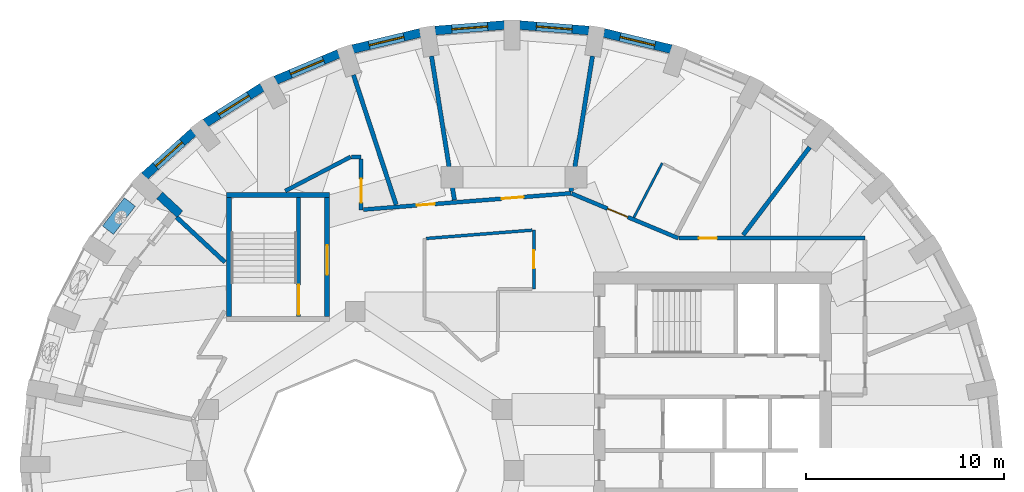
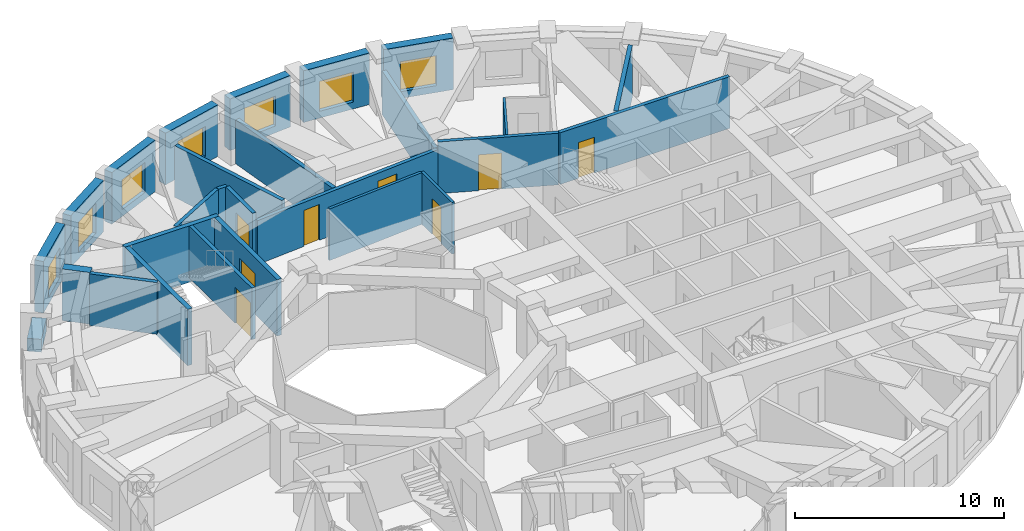
# One storey, part 7 of 12: 27 walls, 8 doors, 7 windows, 15 openings.
"""IFC4 building model written with IfcOpenShell, lengths in metres."""

from ifc_helpers import new_model, si_unit, direction, frame, frame_2d, origin, place, context, subcontext, project, spatial, rectangle, extrude, material, layer, layer_set, constituent, constituent_set, type_object, element, fill, save


model = new_model("IFC4")

# Units and contexts
model_context = context("Model", 3, precision=1e-05, world=origin(), true_north=direction((0.0, 1.0)))
body_context = subcontext(model_context, "Body", "Model", "MODEL_VIEW")
ifc_project = project(units=[si_unit("LENGTHUNIT", "METRE"), si_unit("AREAUNIT", "SQUARE_METRE"), si_unit("VOLUMEUNIT", "CUBIC_METRE"), si_unit("PLANEANGLEUNIT", "RADIAN"), si_unit("MASSUNIT", "GRAM", prefix="KILO")], contexts=[model_context])

# Site, building, storey
site_placement = place(None, origin())
site = spatial("IfcSite", under=ifc_project, at=site_placement, CompositionType="ELEMENT")
building_placement = place(site_placement, origin())
building = spatial("IfcBuilding", under=site, at=building_placement, Name="Taillehof Tower", CompositionType="ELEMENT")
storey_placement = place(building_placement, frame((0.0, 0.0, 246.5)))
storey = spatial("IfcBuildingStorey", under=building, at=storey_placement, Name="L70", CompositionType="ELEMENT", Elevation=246.5)

# Wall, opening, window
ifc_material_1 = material(Name="Brick masonry", Category="masonry")
ifc_layer_1 = layer(ifc_material_1, 0.449951171875)
ifc_layer_set_1 = layer_set([ifc_layer_1], Name="Brick infill wall 450")
wall_type_1 = type_object("IfcWallType", Name="Brick infill wall 450", PredefinedType="SOLIDWALL", material=ifc_layer_set_1)
wall_1_placement = place(storey_placement, frame((7.918701171875, 21.231689453125, 0.0), z_axis=(0.0, 0.0, 1.0), x_axis=(-0.972099278496, 0.23456980357, 0.0)))
wall_1 = element("IfcWall", 1, at=wall_1_placement, inside=storey, type_object=wall_type_1, Name="Brick wall L70 bay 8", PredefinedType="SOLIDWALL", context=body_context, shape_type="SweptSolid", body=[
    extrude(rectangle(XDim=3.486572265625, YDim=0.449951171875, at=frame_2d((1.7431640625, 0.0))), origin(), (0.0, 0.0, 1.0), 3.02001953125),
])
opening_1_placement = place(wall_1_placement, frame((0.84326171875, 0.0, 0.39990234375)))
opening_1 = element("IfcOpeningElement", 2, at=opening_1_placement, cuts=wall_1, Name="Opening W4", PredefinedType="OPENING", context=body_context, shape_type="SweptSolid", body=[
    extrude(rectangle(XDim=1.800048828125, YDim=1.75, at=frame_2d((0.89990234375, 0.875))), frame((0.0, 0.23486328125, 0.0), z_axis=(0.0, -1.0, 0.0), x_axis=(1.0, 0.0, 0.0)), (0.0, 0.0, 1.0), 0.469970703125),
])
ifc_material_2 = material(Name="Aluminium window frame with clear double glazing", Category="aluminium")
window_type = type_object("IfcWindowType", Name="Deep-set window 1800x1750", PartitioningType="SINGLE_PANEL", PredefinedType="WINDOW", material=ifc_material_2)
window_1_placement = place(opening_1_placement, origin())
window_1 = element("IfcWindow", 3, at=window_1_placement, inside=storey, type_object=window_type, Name="W4", OverallHeight=1.75, OverallWidth=1.800048828125, PartitioningType="SINGLE_PANEL", PredefinedType="WINDOW", context=body_context, shape_type="SweptSolid", body=[
    extrude(rectangle(XDim=1.800048828125, YDim=1.75, at=frame_2d((0.89990234375, 0.875))), frame((0.0, 0.034912109375, 0.0), z_axis=(0.0, -1.0, 0.0), x_axis=(1.0, 0.0, 0.0)), (0.0, 0.0, 1.0), 0.06005859375),
])
fill(opening_1, window_1)

wall_2_placement = place(storey_placement, frame((3.778564453125, 22.168701171875, 0.0), z_axis=(0.0, 0.0, 1.0), x_axis=(-0.996910775835, 0.078542377245, 0.0)))
wall_2 = element("IfcWall", 4, at=wall_2_placement, inside=storey, type_object=wall_type_1, Name="Brick wall L70 bay 9", PredefinedType="SOLIDWALL", context=body_context, shape_type="SweptSolid", body=[
    extrude(rectangle(XDim=3.50927734375, YDim=0.449951171875, at=frame_2d((1.754638671875, 0.0))), origin(), (0.0, 0.0, 1.0), 3.02001953125),
])
opening_2_placement = place(wall_2_placement, frame((0.854736328125, 0.0, 0.39990234375)))
opening_2 = element("IfcOpeningElement", 5, at=opening_2_placement, cuts=wall_2, Name="Opening W4", PredefinedType="OPENING", context=body_context, shape_type="SweptSolid", body=[
    extrude(rectangle(XDim=1.800048828125, YDim=1.75, at=frame_2d((0.89990234375, 0.875))), frame((0.0, 0.23486328125, 0.0), z_axis=(0.0, -1.0, 0.0), x_axis=(1.0, 0.0, 0.0)), (0.0, 0.0, 1.0), 0.469970703125),
])
window_2_placement = place(opening_2_placement, origin())
window_2 = element("IfcWindow", 6, at=window_2_placement, inside=storey, type_object=window_type, Name="W4", OverallHeight=1.75, OverallWidth=1.800048828125, PartitioningType="SINGLE_PANEL", PredefinedType="WINDOW", context=body_context, shape_type="SweptSolid", body=[
    extrude(rectangle(XDim=1.800048828125, YDim=1.75, at=frame_2d((0.89990234375, 0.875))), frame((0.0, 0.034912109375, 0.0), z_axis=(0.0, -1.0, 0.0), x_axis=(1.0, 0.0, 0.0)), (0.0, 0.0, 1.0), 0.06005859375),
])
fill(opening_2, window_2)

wall_3_placement = place(storey_placement, frame((-0.47998046875, 22.4443359375, 0.0), z_axis=(0.0, 0.0, 1.0), x_axis=(-0.996910775835, -0.078542377245, 0.0)))
wall_3 = element("IfcWall", 7, at=wall_3_placement, inside=storey, type_object=wall_type_1, Name="Brick wall L70 bay 10", PredefinedType="SOLIDWALL", context=body_context, shape_type="SweptSolid", body=[
    extrude(rectangle(XDim=3.50927734375, YDim=0.449951171875, at=frame_2d((1.754638671875, 0.0))), origin(), (0.0, 0.0, 1.0), 3.02001953125),
])
opening_3_placement = place(wall_3_placement, frame((0.854736328125, 0.0, 0.39990234375)))
opening_3 = element("IfcOpeningElement", 8, at=opening_3_placement, cuts=wall_3, Name="Opening W4", PredefinedType="OPENING", context=body_context, shape_type="SweptSolid", body=[
    extrude(rectangle(XDim=1.800048828125, YDim=1.75, at=frame_2d((0.89990234375, 0.875))), frame((0.0, 0.23486328125, 0.0), z_axis=(0.0, -1.0, 0.0), x_axis=(1.0, 0.0, 0.0)), (0.0, 0.0, 1.0), 0.469970703125),
])
window_3_placement = place(opening_3_placement, origin())
window_3 = element("IfcWindow", 9, at=window_3_placement, inside=storey, type_object=window_type, Name="W4", OverallHeight=1.75, OverallWidth=1.800048828125, PartitioningType="SINGLE_PANEL", PredefinedType="WINDOW", context=body_context, shape_type="SweptSolid", body=[
    extrude(rectangle(XDim=1.800048828125, YDim=1.75, at=frame_2d((0.89990234375, 0.875))), frame((0.0, 0.034912109375, 0.0), z_axis=(0.0, -1.0, 0.0), x_axis=(1.0, 0.0, 0.0)), (0.0, 0.0, 1.0), 0.06005859375),
])
fill(opening_3, window_3)

wall_4_placement = place(storey_placement, frame((-4.729248046875, 22.049560546875, 0.0), z_axis=(0.0, 0.0, 1.0), x_axis=(-0.972099278496, -0.23456980357, 0.0)))
wall_4 = element("IfcWall", 10, at=wall_4_placement, inside=storey, type_object=wall_type_1, Name="Brick wall L70 bay 11", PredefinedType="SOLIDWALL", context=body_context, shape_type="SweptSolid", body=[
    extrude(rectangle(XDim=3.486572265625, YDim=0.449951171875, at=frame_2d((1.7431640625, 0.0))), origin(), (0.0, 0.0, 1.0), 3.02001953125),
])
opening_4_placement = place(wall_4_placement, frame((0.84326171875, 0.0, 0.39990234375)))
opening_4 = element("IfcOpeningElement", 11, at=opening_4_placement, cuts=wall_4, Name="Opening W4", PredefinedType="OPENING", context=body_context, shape_type="SweptSolid", body=[
    extrude(rectangle(XDim=1.800048828125, YDim=1.75, at=frame_2d((0.89990234375, 0.875))), frame((0.0, 0.23486328125, 0.0), z_axis=(0.0, -1.0, 0.0), x_axis=(1.0, 0.0, 0.0)), (0.0, 0.0, 1.0), 0.469970703125),
])
window_4_placement = place(opening_4_placement, origin())
window_4 = element("IfcWindow", 12, at=window_4_placement, inside=storey, type_object=window_type, Name="W4", OverallHeight=1.75, OverallWidth=1.800048828125, PartitioningType="SINGLE_PANEL", PredefinedType="WINDOW", context=body_context, shape_type="SweptSolid", body=[
    extrude(rectangle(XDim=1.800048828125, YDim=1.75, at=frame_2d((0.89990234375, 0.875))), frame((0.0, 0.034912109375, 0.0), z_axis=(0.0, -1.0, 0.0), x_axis=(1.0, 0.0, 0.0)), (0.0, 0.0, 1.0), 0.06005859375),
])
fill(opening_4, window_4)

wall_5_placement = place(storey_placement, frame((-8.8408203125, 20.994873046875, 0.0), z_axis=(0.0, 0.0, 1.0), x_axis=(-0.922024627475, -0.387131226239, 0.0)))
wall_5 = element("IfcWall", 13, at=wall_5_placement, inside=storey, type_object=wall_type_1, Name="Brick wall L70 bay 12", PredefinedType="SOLIDWALL", context=body_context, shape_type="SweptSolid", body=[
    extrude(rectangle(XDim=3.443359375, YDim=0.449951171875, at=frame_2d((1.7216796875, 0.0))), origin(), (0.0, 0.0, 1.0), 3.02001953125),
])
opening_5_placement = place(wall_5_placement, frame((0.82177734375, 0.0, 0.39990234375)))
opening_5 = element("IfcOpeningElement", 14, at=opening_5_placement, cuts=wall_5, Name="Opening W4", PredefinedType="OPENING", context=body_context, shape_type="SweptSolid", body=[
    extrude(rectangle(XDim=1.800048828125, YDim=1.75, at=frame_2d((0.89990234375, 0.875))), frame((0.0, 0.23486328125, 0.0), z_axis=(0.0, -1.0, 0.0), x_axis=(1.0, 0.0, 0.0)), (0.0, 0.0, 1.0), 0.469970703125),
])
window_5_placement = place(opening_5_placement, origin())
window_5 = element("IfcWindow", 15, at=window_5_placement, inside=storey, type_object=window_type, Name="W4", OverallHeight=1.75, OverallWidth=1.800048828125, PartitioningType="SINGLE_PANEL", PredefinedType="WINDOW", context=body_context, shape_type="SweptSolid", body=[
    extrude(rectangle(XDim=1.800048828125, YDim=1.75, at=frame_2d((0.89990234375, 0.875))), frame((0.0, 0.034912109375, 0.0), z_axis=(0.0, -1.0, 0.0), x_axis=(1.0, 0.0, 0.0)), (0.0, 0.0, 1.0), 0.06005859375),
])
fill(opening_5, window_5)

wall_6_placement = place(storey_placement, frame((-12.68994140625, 19.31103515625, 0.0), z_axis=(0.0, 0.0, 1.0), x_axis=(-0.845929139811, -0.53329531258, 0.0)))
wall_6 = element("IfcWall", 16, at=wall_6_placement, inside=storey, type_object=wall_type_1, Name="Brick wall L70 bay 13", PredefinedType="SOLIDWALL", context=body_context, shape_type="SweptSolid", body=[
    extrude(rectangle(XDim=3.384521484375, YDim=0.449951171875, at=frame_2d((1.6923828125, 0.0))), origin(), (0.0, 0.0, 1.0), 3.02001953125),
])
opening_6_placement = place(wall_6_placement, frame((0.792236328125, 0.0, 0.39990234375)))
opening_6 = element("IfcOpeningElement", 17, at=opening_6_placement, cuts=wall_6, Name="Opening W4", PredefinedType="OPENING", context=body_context, shape_type="SweptSolid", body=[
    extrude(rectangle(XDim=1.800048828125, YDim=1.75, at=frame_2d((0.89990234375, 0.875))), frame((0.0, 0.23486328125, 0.0), z_axis=(0.0, -1.0, 0.0), x_axis=(1.0, 0.0, 0.0)), (0.0, 0.0, 1.0), 0.469970703125),
])
window_6_placement = place(opening_6_placement, origin())
window_6 = element("IfcWindow", 18, at=window_6_placement, inside=storey, type_object=window_type, Name="W4", OverallHeight=1.75, OverallWidth=1.800048828125, PartitioningType="SINGLE_PANEL", PredefinedType="WINDOW", context=body_context, shape_type="SweptSolid", body=[
    extrude(rectangle(XDim=1.800048828125, YDim=1.75, at=frame_2d((0.89990234375, 0.875))), frame((0.0, 0.034912109375, 0.0), z_axis=(0.0, -1.0, 0.0), x_axis=(1.0, 0.0, 0.0)), (0.0, 0.0, 1.0), 0.06005859375),
])
fill(opening_6, window_6)

wall_7_placement = place(storey_placement, frame((-16.1591796875, 17.04736328125, 0.0), z_axis=(0.0, 0.0, 1.0), x_axis=(-0.743166014219, -0.669107073128, 0.0)))
wall_7 = element("IfcWall", 19, at=wall_7_placement, inside=storey, type_object=wall_type_1, Name="Brick wall L70 bay 14", PredefinedType="SOLIDWALL", context=body_context, shape_type="SweptSolid", body=[
    extrude(rectangle(XDim=3.31640625, YDim=0.449951171875, at=frame_2d((1.658203125, 0.0))), origin(), (0.0, 0.0, 1.0), 3.02001953125),
])
opening_7_placement = place(wall_7_placement, frame((0.75830078125, 0.0, 0.39990234375)))
opening_7 = element("IfcOpeningElement", 20, at=opening_7_placement, cuts=wall_7, Name="Opening W4", PredefinedType="OPENING", context=body_context, shape_type="SweptSolid", body=[
    extrude(rectangle(XDim=1.800048828125, YDim=1.75, at=frame_2d((0.89990234375, 0.875))), frame((0.0, 0.23486328125, 0.0), z_axis=(0.0, -1.0, 0.0), x_axis=(1.0, 0.0, 0.0)), (0.0, 0.0, 1.0), 0.469970703125),
])
window_7_placement = place(opening_7_placement, origin())
window_7 = element("IfcWindow", 21, at=window_7_placement, inside=storey, type_object=window_type, Name="W4", OverallHeight=1.75, OverallWidth=1.800048828125, PartitioningType="SINGLE_PANEL", PredefinedType="WINDOW", context=body_context, shape_type="SweptSolid", body=[
    extrude(rectangle(XDim=1.800048828125, YDim=1.75, at=frame_2d((0.89990234375, 0.875))), frame((0.0, 0.034912109375, 0.0), z_axis=(0.0, -1.0, 0.0), x_axis=(1.0, 0.0, 0.0)), (0.0, 0.0, 1.0), 0.06005859375),
])
fill(opening_7, window_7)

# Walls
wall_8_placement = place(storey_placement, frame((-17.861083984375, 13.856689453125, 0.0), z_axis=(0.0, 0.0, 1.0), x_axis=(0.732605925603, -0.680653037731, 0.0)))
element("IfcWall", 22, at=wall_8_placement, inside=storey, type_object=wall_type_1, Name="Brick reveal L70 pocket 4", PredefinedType="SOLIDWALL", context=body_context, shape_type="SweptSolid", body=[
    extrude(rectangle(XDim=1.390869140625, YDim=0.449951171875, at=frame_2d((0.6953125, 0.0))), origin(), (0.0, 0.0, 1.0), 3.02001953125),
])
ifc_material_3 = material(Name="Gypsum board on steel studs, two layers each side", Category="steel")
ifc_layer_2 = layer(ifc_material_3, 0.199951171875)
ifc_layer_set_2 = layer_set([ifc_layer_2], Name="Compartment wall corridor 200")
wall_type_2 = type_object("IfcWallType", Name="Compartment wall corridor 200", PredefinedType="PARTITIONING", material=ifc_layer_set_2)
wall_9_placement = place(storey_placement, frame((-11.53369140625, 14.080810546875, 0.0), z_axis=(0.0, 0.0, 1.0), x_axis=(0.886975089277, 0.461817270143, 0.0)))
element("IfcWall", 23, at=wall_9_placement, inside=storey, type_object=wall_type_2, Name="Compartment wall", PredefinedType="PARTITIONING", context=body_context, shape_type="SweptSolid", body=[
    extrude(rectangle(XDim=3.72265625, YDim=0.199951171875, at=frame_2d((1.861328125, 0.0))), origin(), (0.0, 0.0, 1.0), 3.02001953125),
])
wall_10_placement = place(storey_placement, frame((-8.191650390625, 15.800048828125, 0.0), z_axis=(0.0, 0.0, 1.0), x_axis=(1.0, 0.0, 0.0)))
element("IfcWall", 24, at=wall_10_placement, inside=storey, type_object=wall_type_2, Name="Compartment wall", PredefinedType="PARTITIONING", context=body_context, shape_type="SweptSolid", body=[
    extrude(rectangle(XDim=0.49169921875, YDim=0.199951171875, at=frame_2d((0.245849609375, 0.0))), origin(), (0.0, 0.0, 1.0), 3.02001953125),
])

# Wall, opening, door
wall_11_placement = place(storey_placement, frame((-7.699951171875, 15.699951171875, 0.0), z_axis=(0.0, 0.0, 1.0), x_axis=(0.0, -1.0, 0.0)))
wall_11 = element("IfcWall", 25, at=wall_11_placement, inside=storey, type_object=wall_type_2, Name="Compartment wall", PredefinedType="PARTITIONING", context=body_context, shape_type="SweptSolid", body=[
    extrude(rectangle(XDim=2.56494140625, YDim=0.199951171875, at=frame_2d((1.282470703125, 0.0))), origin(), (0.0, 0.0, 1.0), 3.02001953125),
])
opening_8_placement = place(wall_11_placement, frame((1.008056640625, 0.0, 0.0)))
opening_8 = element("IfcOpeningElement", 26, at=opening_8_placement, cuts=wall_11, Name="Opening D7045", PredefinedType="OPENING", context=body_context, shape_type="SweptSolid", body=[
    extrude(rectangle(XDim=1.199951171875, YDim=2.10009765625, at=frame_2d((0.60009765625, 1.050048828125))), frame((0.0, 0.10986328125, 0.0), z_axis=(0.0, -1.0, 0.0), x_axis=(1.0, 0.0, 0.0)), (0.0, 0.0, 1.0), 0.219970703125),
])
ifc_material_4 = material(Name="Timber door leaf in steel frame", Category="steel")
door_type_1 = type_object("IfcDoorType", Name="Suite entrance door EI 30 1200 x 2100", OperationType="SINGLE_SWING_LEFT", PredefinedType="DOOR", material=ifc_material_4)
door_1_placement = place(opening_8_placement, origin())
door_1 = element("IfcDoor", 27, at=door_1_placement, inside=storey, type_object=door_type_1, Name="D7045", OperationType="SINGLE_SWING_RIGHT", OverallHeight=2.10009765625, OverallWidth=1.199951171875, PredefinedType="DOOR", context=body_context, shape_type="SweptSolid", body=[
    extrude(rectangle(XDim=1.199951171875, YDim=2.10009765625, at=frame_2d((0.60009765625, 1.050048828125))), frame((0.0, 0.02490234375, 0.0), z_axis=(0.0, -1.0, 0.0), x_axis=(1.0, 0.0, 0.0)), (0.0, 0.0, 1.0), 0.050048828125),
])
fill(opening_8, door_1)

# Wall, openings, doors
wall_12_placement = place(storey_placement, frame((-7.579833984375, 13.143798828125, 0.0), z_axis=(0.0, 0.0, 1.0), x_axis=(0.996921908045, 0.078400951905, 0.0)))
wall_12 = element("IfcWall", 28, at=wall_12_placement, inside=storey, type_object=wall_type_2, Name="Compartment wall", PredefinedType="PARTITIONING", context=body_context, shape_type="SweptSolid", body=[
    extrude(rectangle(XDim=10.481689453125, YDim=0.199951171875, at=frame_2d((5.24072265625, 0.0))), origin(), (0.0, 0.0, 1.0), 2.570068359375),
])
opening_9_placement = place(wall_12_placement, frame((6.98974609375, 0.0, 0.0)))
opening_9 = element("IfcOpeningElement", 29, at=opening_9_placement, cuts=wall_12, Name="Opening D7043", PredefinedType="OPENING", context=body_context, shape_type="SweptSolid", body=[
    extrude(rectangle(XDim=1.10009765625, YDim=2.10009765625, at=frame_2d((0.550048828125, 1.050048828125))), frame((0.0, 0.10986328125, 0.0), z_axis=(0.0, -1.0, 0.0), x_axis=(1.0, 0.0, 0.0)), (0.0, 0.0, 1.0), 0.219970703125),
])
opening_10_placement = place(wall_12_placement, frame((2.696044921875, 0.0, 0.0)))
opening_10 = element("IfcOpeningElement", 30, at=opening_10_placement, cuts=wall_12, Name="Opening D7044", PredefinedType="OPENING", context=body_context, shape_type="SweptSolid", body=[
    extrude(rectangle(XDim=0.89990234375, YDim=2.10009765625, at=frame_2d((0.449951171875, 1.050048828125))), frame((0.0, 0.10986328125, 0.0), z_axis=(0.0, -1.0, 0.0), x_axis=(1.0, 0.0, 0.0)), (0.0, 0.0, 1.0), 0.219970703125),
])
ifc_material_5 = material(Name="Timber door leaf in steel frame", Category="steel")
door_type_2 = type_object("IfcDoorType", Name="Service room door EI 30 900 x 2100", OperationType="SINGLE_SWING_LEFT", PredefinedType="DOOR", material=ifc_material_5)
door_2_placement = place(opening_10_placement, origin())
door_2 = element("IfcDoor", 31, at=door_2_placement, inside=storey, type_object=door_type_2, Name="D7044", OperationType="SINGLE_SWING_LEFT", OverallHeight=2.10009765625, OverallWidth=0.89990234375, PredefinedType="DOOR", context=body_context, shape_type="SweptSolid", body=[
    extrude(rectangle(XDim=0.89990234375, YDim=2.10009765625, at=frame_2d((0.449951171875, 1.050048828125))), frame((0.0, 0.02490234375, 0.0), z_axis=(0.0, -1.0, 0.0), x_axis=(1.0, 0.0, 0.0)), (0.0, 0.0, 1.0), 0.050048828125),
])
fill(opening_10, door_2)
ifc_material_6 = material(Name="Timber door leaf in steel frame", Category="steel")
door_type_3 = type_object("IfcDoorType", Name="Suite entrance door EI 30 1100 x 2100", OperationType="SINGLE_SWING_LEFT", PredefinedType="DOOR", material=ifc_material_6)
door_3_placement = place(opening_9_placement, origin())
door_3 = element("IfcDoor", 32, at=door_3_placement, inside=storey, type_object=door_type_3, Name="D7043", OperationType="SINGLE_SWING_RIGHT", OverallHeight=2.10009765625, OverallWidth=1.10009765625, PredefinedType="DOOR", context=body_context, shape_type="SweptSolid", body=[
    extrude(rectangle(XDim=1.10009765625, YDim=2.10009765625, at=frame_2d((0.550048828125, 1.050048828125))), frame((0.0, 0.02490234375, 0.0), z_axis=(0.0, -1.0, 0.0), x_axis=(1.0, 0.0, 0.0)), (0.0, 0.0, 1.0), 0.050048828125),
])
fill(opening_9, door_3)

# Wall, opening, door
wall_13_placement = place(storey_placement, frame((2.90673828125, 13.949951171875, 0.0), z_axis=(0.0, 0.0, 1.0), x_axis=(0.922453481254, -0.386108242494, 0.0)))
wall_13 = element("IfcWall", 33, at=wall_13_placement, inside=storey, type_object=wall_type_2, Name="Compartment wall", PredefinedType="PARTITIONING", context=body_context, shape_type="SweptSolid", body=[
    extrude(rectangle(XDim=5.827392578125, YDim=0.199951171875, at=frame_2d((2.91357421875, 0.0))), origin(), (0.0, 0.0, 1.0), 3.02001953125),
])
opening_11_placement = place(wall_13_placement, frame((1.967529296875, 0.0, 0.0)))
opening_11 = element("IfcOpeningElement", 34, at=opening_11_placement, cuts=wall_13, Name="Opening D7041", PredefinedType="OPENING", context=body_context, shape_type="SweptSolid", body=[
    extrude(rectangle(XDim=1.10009765625, YDim=2.10009765625, at=frame_2d((0.550048828125, 1.050048828125))), frame((0.0, 0.10986328125, 0.0), z_axis=(0.0, -1.0, 0.0), x_axis=(1.0, 0.0, 0.0)), (0.0, 0.0, 1.0), 0.219970703125),
])
ifc_material_7 = material(Name="Timber door leaf in steel frame", Category="steel")
door_type_4 = type_object("IfcDoorType", Name="Accessible guest room door EI 30 1100 x 2100", OperationType="SINGLE_SWING_LEFT", PredefinedType="DOOR", material=ifc_material_7)
door_4_placement = place(opening_11_placement, origin())
door_4 = element("IfcDoor", 35, at=door_4_placement, inside=storey, type_object=door_type_4, Name="D7041", OperationType="SINGLE_SWING_RIGHT", OverallHeight=2.10009765625, OverallWidth=1.10009765625, PredefinedType="DOOR", context=body_context, shape_type="SweptSolid", body=[
    extrude(rectangle(XDim=1.10009765625, YDim=2.10009765625, at=frame_2d((0.550048828125, 1.050048828125))), frame((0.0, 0.02490234375, 0.0), z_axis=(0.0, -1.0, 0.0), x_axis=(1.0, 0.0, 0.0)), (0.0, 0.0, 1.0), 0.050048828125),
])
fill(opening_11, door_4)

wall_14_placement = place(storey_placement, frame((8.322265625, 11.699951171875, 0.0), z_axis=(0.0, 0.0, 1.0), x_axis=(1.0, 0.0, 0.0)))
wall_14 = element("IfcWall", 36, at=wall_14_placement, inside=storey, type_object=wall_type_2, Name="Compartment wall", PredefinedType="PARTITIONING", context=body_context, shape_type="SweptSolid", body=[
    extrude(rectangle(XDim=9.377685546875, YDim=0.199951171875, at=frame_2d((4.68896484375, 0.0))), origin(), (0.0, 0.0, 1.0), 3.02001953125),
])
opening_12_placement = place(wall_14_placement, frame((1.002197265625, 0.0, 0.0)))
opening_12 = element("IfcOpeningElement", 37, at=opening_12_placement, cuts=wall_14, Name="Opening D7040", PredefinedType="OPENING", context=body_context, shape_type="SweptSolid", body=[
    extrude(rectangle(XDim=0.89990234375, YDim=2.10009765625, at=frame_2d((0.449951171875, 1.050048828125))), frame((0.0, 0.10986328125, 0.0), z_axis=(0.0, -1.0, 0.0), x_axis=(1.0, 0.0, 0.0)), (0.0, 0.0, 1.0), 0.219970703125),
])
door_5_placement = place(opening_12_placement, origin())
door_5 = element("IfcDoor", 38, at=door_5_placement, inside=storey, type_object=door_type_2, Name="D7040", OperationType="SINGLE_SWING_LEFT", OverallHeight=2.10009765625, OverallWidth=0.89990234375, PredefinedType="DOOR", context=body_context, shape_type="SweptSolid", body=[
    extrude(rectangle(XDim=0.89990234375, YDim=2.10009765625, at=frame_2d((0.449951171875, 1.050048828125))), frame((0.0, 0.02490234375, 0.0), z_axis=(0.0, -1.0, 0.0), x_axis=(1.0, 0.0, 0.0)), (0.0, 0.0, 1.0), 0.050048828125),
])
fill(opening_12, door_5)

# Walls
ifc_material_8 = material(Name="Gypsum board on double steel studs with mineral wool", Category="steel")
ifc_layer_3 = layer(ifc_material_8, 0.219970703125)
ifc_layer_set_3 = layer_set([ifc_layer_3], Name="Compartment wall guest room 220")
wall_type_3 = type_object("IfcWallType", Name="Compartment wall guest room 220", PredefinedType="PARTITIONING", material=ifc_layer_set_3)
wall_15_placement = place(storey_placement, frame((14.906005859375, 16.287109375, 0.0), z_axis=(0.0, 0.0, 1.0), x_axis=(-0.604066831727, -0.796933662739, 0.0)))
element("IfcWall", 39, at=wall_15_placement, inside=storey, type_object=wall_type_3, Name="Compartment wall", PredefinedType="PARTITIONING", context=body_context, shape_type="SweptSolid", body=[
    extrude(rectangle(XDim=5.55078125, YDim=0.219970703125, at=frame_2d((2.775390625, 0.0))), origin(), (0.0, 0.0, 1.0), 3.02001953125),
])
wall_16_placement = place(storey_placement, frame((3.958251953125, 20.88037109375, 0.0), z_axis=(0.0, 0.0, 1.0), x_axis=(-0.157259964952, -0.987557240581, 0.0)))
element("IfcWall", 40, at=wall_16_placement, inside=storey, type_object=wall_type_3, Name="Compartment wall", PredefinedType="PARTITIONING", context=body_context, shape_type="SweptSolid", body=[
    extrude(rectangle(XDim=6.908447265625, YDim=0.219970703125, at=frame_2d((3.4541015625, 0.0))), origin(), (0.0, 0.0, 1.0), 2.570068359375),
])
wall_17_placement = place(storey_placement, frame((-4.158203125, 20.88037109375, 0.0), z_axis=(0.0, 0.0, 1.0), x_axis=(0.157271196312, -0.987555452018, 0.0)))
element("IfcWall", 41, at=wall_17_placement, inside=storey, type_object=wall_type_3, Name="Compartment wall", PredefinedType="PARTITIONING", context=body_context, shape_type="SweptSolid", body=[
    extrude(rectangle(XDim=7.347412109375, YDim=0.219970703125, at=frame_2d((3.673828125, 0.0))), origin(), (0.0, 0.0, 1.0), 2.570068359375),
])
wall_18_placement = place(storey_placement, frame((-8.09130859375, 19.931884765625, 0.0), z_axis=(0.0, 0.0, 1.0), x_axis=(0.312277225251, -0.949991018162, 0.0)))
element("IfcWall", 42, at=wall_18_placement, inside=storey, type_object=wall_type_3, Name="Compartment wall", PredefinedType="PARTITIONING", context=body_context, shape_type="SweptSolid", body=[
    extrude(rectangle(XDim=6.883056640625, YDim=0.219970703125, at=frame_2d((3.44140625, 0.0))), origin(), (0.0, 0.0, 1.0), 3.02001953125),
])
wall_19_placement = place(storey_placement, frame((-17.008544921875, 12.757568359375, 0.0), z_axis=(0.0, 0.0, 1.0), x_axis=(0.732631495403, -0.680625515202, 0.0)))
element("IfcWall", 43, at=wall_19_placement, inside=storey, type_object=wall_type_3, Name="Compartment wall", PredefinedType="PARTITIONING", context=body_context, shape_type="SweptSolid", body=[
    extrude(rectangle(XDim=3.328369140625, YDim=0.219970703125, at=frame_2d((1.6640625, 0.0))), origin(), (0.0, 0.0, 1.0), 3.02001953125),
])

# Wall, opening, door
ifc_material_9 = material(Name="Gypsum board on steel studs, two layers each side", Category="steel")
ifc_layer_4 = layer(ifc_material_9, 0.14990234375)
ifc_layer_set_4 = layer_set([ifc_layer_4], Name="Compartment wall service room 150")
wall_type_4 = type_object("IfcWallType", Name="Compartment wall service room 150", PredefinedType="PARTITIONING", material=ifc_layer_set_4)
wall_20_placement = place(storey_placement, frame((1.0, 12.11328125, 0.0), z_axis=(0.0, 0.0, 1.0), x_axis=(0.0, -1.0, 0.0)))
wall_20 = element("IfcWall", 44, at=wall_20_placement, inside=storey, type_object=wall_type_4, Name="Compartment wall", PredefinedType="PARTITIONING", context=body_context, shape_type="SweptSolid", body=[
    extrude(rectangle(XDim=2.96337890625, YDim=0.14990234375, at=frame_2d((1.481689453125, 0.0))), origin(), (0.0, 0.0, 1.0), 3.02001953125),
])
opening_13_placement = place(wall_20_placement, frame((1.03173828125, 0.0, 0.0)))
opening_13 = element("IfcOpeningElement", 45, at=opening_13_placement, cuts=wall_20, Name="Opening D7059", PredefinedType="OPENING", context=body_context, shape_type="SweptSolid", body=[
    extrude(rectangle(XDim=0.89990234375, YDim=2.10009765625, at=frame_2d((0.449951171875, 1.050048828125))), frame((0.0, 0.0849609375, 0.0), z_axis=(0.0, -1.0, 0.0), x_axis=(1.0, 0.0, 0.0)), (0.0, 0.0, 1.0), 0.169921875),
])
door_6_placement = place(opening_13_placement, origin())
door_6 = element("IfcDoor", 46, at=door_6_placement, inside=storey, type_object=door_type_2, Name="D7059", OperationType="SINGLE_SWING_LEFT", OverallHeight=2.10009765625, OverallWidth=0.89990234375, PredefinedType="DOOR", context=body_context, shape_type="SweptSolid", body=[
    extrude(rectangle(XDim=0.89990234375, YDim=2.10009765625, at=frame_2d((0.449951171875, 1.050048828125))), frame((0.0, 0.02490234375, 0.0), z_axis=(0.0, -1.0, 0.0), x_axis=(1.0, 0.0, 0.0)), (0.0, 0.0, 1.0), 0.050048828125),
])
fill(opening_13, door_6)

# Walls
wall_21_placement = place(storey_placement, frame((-4.419921875, 11.68701171875, 0.0), z_axis=(0.0, 0.0, 1.0), x_axis=(0.996915064954, 0.078487917971, 0.0)))
element("IfcWall", 47, at=wall_21_placement, inside=storey, type_object=wall_type_4, Name="Compartment wall", PredefinedType="PARTITIONING", context=body_context, shape_type="SweptSolid", body=[
    extrude(rectangle(XDim=5.3564453125, YDim=0.14990234375, at=frame_2d((2.67822265625, 0.0))), origin(), (0.0, 0.0, 1.0), 3.02001953125),
])
ifc_material_10 = material(Name="Gypsum board on steel studs, moisture resistant", Category="steel")
ifc_layer_5 = layer(ifc_material_10, 0.1201171875)
ifc_layer_set_5 = layer_set([ifc_layer_5], Name="En-suite wall 120")
wall_type_5 = type_object("IfcWallType", Name="En-suite wall 120", PredefinedType="PARTITIONING", material=ifc_layer_set_5)
wall_22_placement = place(storey_placement, frame((6.043701171875, 12.745361328125, 0.0), z_axis=(0.0, 0.0, 1.0), x_axis=(0.462331372195, 0.886707224672, 0.0)))
element("IfcWall", 48, at=wall_22_placement, inside=storey, type_object=wall_type_5, Name="En-suite wall", PredefinedType="PARTITIONING", context=body_context, shape_type="SweptSolid", body=[
    extrude(rectangle(XDim=3.093994140625, YDim=0.1201171875, at=frame_2d((1.546875, 0.0))), origin(), (0.0, 0.0, 1.0), 3.02001953125),
])
ifc_material_11 = material(Name="Concrete C30/37 precast", Category="concrete")
ifc_constituent_1 = constituent(ifc_material_11, Name="Structure", Category="concrete")
ifc_material_12 = material(Name="Insulated lining")
ifc_constituent_2 = constituent(ifc_material_12, Name="Lining")
ifc_constituent_set = constituent_set(constituents=[ifc_constituent_1, ifc_constituent_2], Name="Planter trough 700x750")
wall_type_6 = type_object("IfcWallType", Name="Planter trough 700x750", PredefinedType="USERDEFINED", material=ifc_constituent_set)
wall_23_placement = place(storey_placement, frame((-19.361083984375, 13.525390625, 0.0), z_axis=(0.0, 0.0, 1.0), x_axis=(-0.613884271235, -0.789396035923, 0.0)))
element("IfcWall", 49, at=wall_23_placement, inside=storey, type_object=wall_type_6, Name="Planter L70 bay 15", ObjectType="PLANTER", PredefinedType="USERDEFINED", context=body_context, shape_type="SweptSolid", body=[
    extrude(rectangle(XDim=1.800048828125, YDim=0.699951171875, at=frame_2d((0.89990234375, 0.0))), origin(), (0.0, 0.0, 1.0), 0.75),
])

# Wall, opening, door
ifc_material_13 = material(Name="Concrete C50/60", Category="concrete")
ifc_layer_6 = layer(ifc_material_13, 0.199951171875)
ifc_layer_set_6 = layer_set([ifc_layer_6], Name="Shaft wall C50/60 200")
wall_type_7 = type_object("IfcWallType", Name="Shaft wall C50/60 200", PredefinedType="SHEAR", material=ifc_layer_set_6)
wall_24_placement = place(storey_placement, frame((-10.85009765625, 7.75, 0.0), z_axis=(0.0, 0.0, 1.0), x_axis=(0.0, 1.0, 0.0)))
wall_24 = element("IfcWall", 50, at=wall_24_placement, inside=storey, type_object=wall_type_7, Name="Shaft wall SW", PredefinedType="SHEAR", context=body_context, shape_type="SweptSolid", body=[
    extrude(rectangle(XDim=6.0, YDim=0.199951171875, at=frame_2d((3.0, 0.0))), origin(), (0.0, 0.0, 1.0), 3.02001953125),
])
opening_14_placement = place(wall_24_placement, frame((0.10009765625, 0.0, 0.0)))
opening_14 = element("IfcOpeningElement", 51, at=opening_14_placement, cuts=wall_24, Name="Opening D7012", PredefinedType="OPENING", context=body_context, shape_type="SweptSolid", body=[
    extrude(rectangle(XDim=1.5, YDim=2.10009765625, at=frame_2d((0.75, 1.050048828125))), frame((0.0, 0.10986328125, 0.0), z_axis=(0.0, -1.0, 0.0), x_axis=(1.0, 0.0, 0.0)), (0.0, 0.0, 1.0), 0.219970703125),
])
ifc_material_14 = material(Name="Steel-faced fire door", Category="steel")
door_type_5 = type_object("IfcDoorType", Name="Stair door 1500x2100", OperationType="DOUBLE_DOOR_SINGLE_SWING", PredefinedType="DOOR", material=ifc_material_14)
door_7_placement = place(opening_14_placement, origin())
door_7 = element("IfcDoor", 52, at=door_7_placement, inside=storey, type_object=door_type_5, Name="Stair lobby door S3", OperationType="DOUBLE_DOOR_SINGLE_SWING", OverallHeight=2.10009765625, OverallWidth=1.5, PredefinedType="DOOR", context=body_context, shape_type="SweptSolid", body=[
    extrude(rectangle(XDim=1.5, YDim=2.10009765625, at=frame_2d((0.75, 1.050048828125))), frame((0.0, 0.02490234375, 0.0), z_axis=(0.0, -1.0, 0.0), x_axis=(1.0, 0.0, 0.0)), (0.0, 0.0, 1.0), 0.050048828125),
])
fill(opening_14, door_7)

# Wall
ifc_material_15 = material(Name="Concrete C50/60", Category="concrete")
ifc_layer_7 = layer(ifc_material_15, 0.25)
ifc_layer_set_7 = layer_set([ifc_layer_7], Name="Stair wall C50/60 250")
wall_type_8 = type_object("IfcWallType", Name="Stair wall C50/60 250", PredefinedType="SHEAR", material=ifc_layer_set_7)
wall_25_placement = place(storey_placement, frame((-14.375, 7.75, -0.280029296875), z_axis=(0.0, 0.0, 1.0), x_axis=(0.0, 1.0, 0.0)))
element("IfcWall", 53, at=wall_25_placement, inside=storey, type_object=wall_type_8, Name="Stair wall SC", PredefinedType="SHEAR", context=body_context, shape_type="SweptSolid", body=[
    extrude(rectangle(XDim=6.0, YDim=0.25, at=frame_2d((3.0, 0.0))), origin(), (0.0, 0.0, 1.0), 3.300048828125),
])

# Wall, opening, door
wall_26_placement = place(storey_placement, frame((-9.425048828125, 7.75, -0.280029296875), z_axis=(0.0, 0.0, 1.0), x_axis=(0.0, 1.0, 0.0)))
wall_26 = element("IfcWall", 54, at=wall_26_placement, inside=storey, type_object=wall_type_8, Name="Stair wall SC", PredefinedType="SHEAR", context=body_context, shape_type="SweptSolid", body=[
    extrude(rectangle(XDim=6.0, YDim=0.25, at=frame_2d((3.0, 0.0))), origin(), (0.0, 0.0, 1.0), 3.300048828125),
])
opening_15_placement = place(wall_26_placement, frame((2.10009765625, 0.0, 0.280029296875)))
opening_15 = element("IfcOpeningElement", 55, at=opening_15_placement, cuts=wall_26, Name="Opening D7015", PredefinedType="OPENING", context=body_context, shape_type="SweptSolid", body=[
    extrude(rectangle(XDim=1.5, YDim=2.10009765625, at=frame_2d((0.75, 1.050048828125))), frame((0.0, 0.135009765625, 0.0), z_axis=(0.0, -1.0, 0.0), x_axis=(1.0, 0.0, 0.0)), (0.0, 0.0, 1.0), 0.27001953125),
])
door_8_placement = place(opening_15_placement, origin())
door_8 = element("IfcDoor", 56, at=door_8_placement, inside=storey, type_object=door_type_5, Name="Stair door S3", OperationType="DOUBLE_DOOR_SINGLE_SWING", OverallHeight=2.10009765625, OverallWidth=1.5, PredefinedType="DOOR", context=body_context, shape_type="SweptSolid", body=[
    extrude(rectangle(XDim=1.5, YDim=2.10009765625, at=frame_2d((0.75, 1.050048828125))), frame((0.0, 0.02490234375, 0.0), z_axis=(0.0, -1.0, 0.0), x_axis=(1.0, 0.0, 0.0)), (0.0, 0.0, 1.0), 0.050048828125),
])
fill(opening_15, door_8)

# Wall
wall_27_placement = place(storey_placement, frame((-14.5, 13.875, -0.280029296875), z_axis=(0.0, 0.0, 1.0), x_axis=(1.0, 0.0, 0.0)))
element("IfcWall", 57, at=wall_27_placement, inside=storey, type_object=wall_type_8, Name="Stair wall SC", PredefinedType="SHEAR", context=body_context, shape_type="SweptSolid", body=[
    extrude(rectangle(XDim=5.199951171875, YDim=0.25, at=frame_2d((2.60009765625, 0.0))), origin(), (0.0, 0.0, 1.0), 3.300048828125),
])

save(model, "model.ifc")
